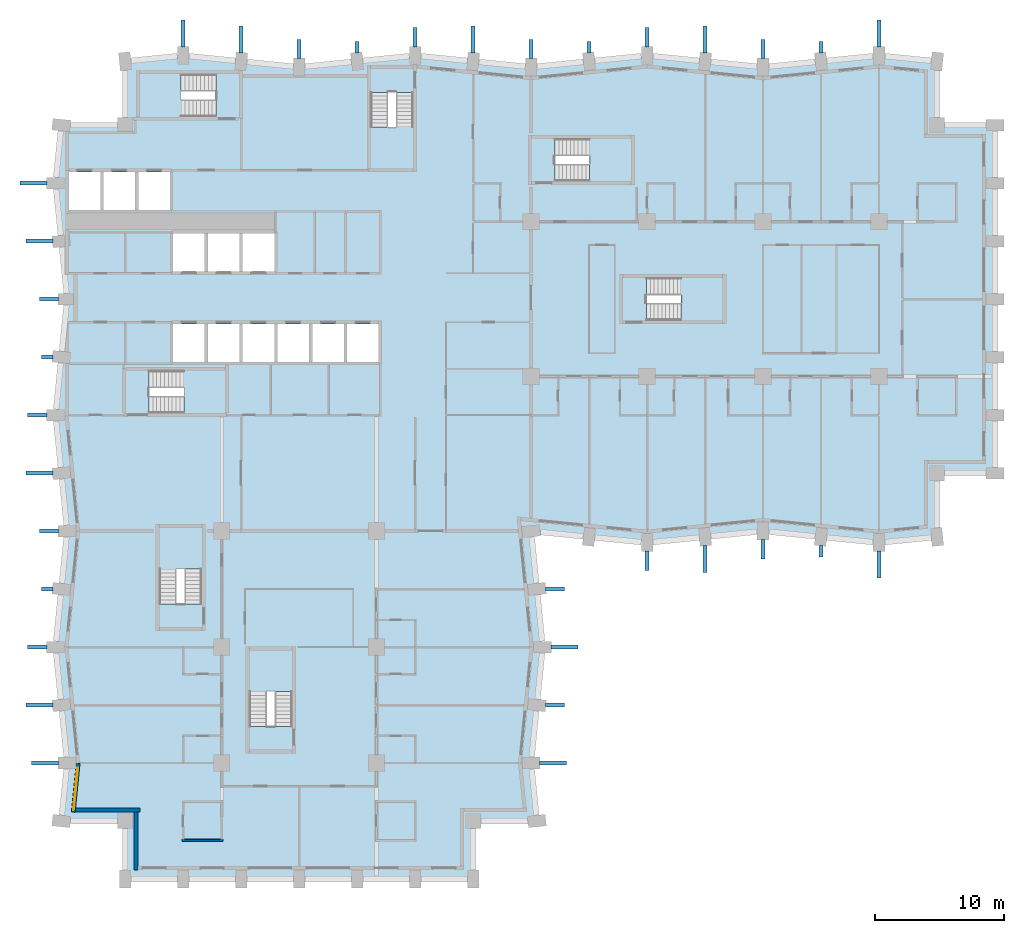
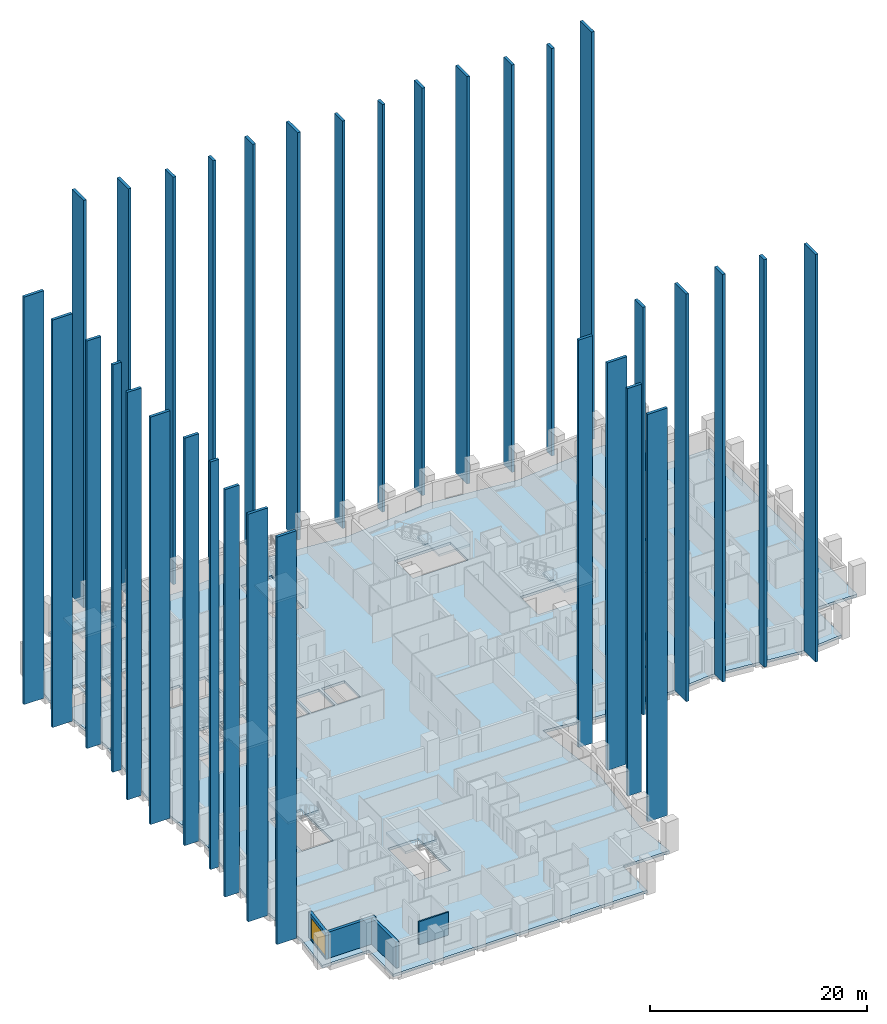
# One storey, part 2 of 13: 33 plates, 8 slabs, 4 walls, 1 window, 1 opening, 7 elements without a shape of their own.
"""IFC4 building model written with IfcOpenShell, lengths in metres."""

from ifc_helpers import new_model, si_unit, direction, frame, frame_2d, origin, place, context, subcontext, project, spatial, polyline, rectangle, outline, extrude, material, layer, layer_set, type_object, element, fill, aggregate, save


model = new_model("IFC4")

# Units and contexts
model_context = context("Model", 3, precision=1e-05, world=origin(), true_north=direction((0.0, 1.0)))
body_context = subcontext(model_context, "Body", "Model", "MODEL_VIEW")
ifc_project = project(units=[si_unit("LENGTHUNIT", "METRE"), si_unit("AREAUNIT", "SQUARE_METRE"), si_unit("VOLUMEUNIT", "CUBIC_METRE"), si_unit("PLANEANGLEUNIT", "RADIAN"), si_unit("MASSUNIT", "GRAM", prefix="KILO")], contexts=[model_context])

# Site, building, storey
site_placement = place(None, origin())
site = spatial("IfcSite", under=ifc_project, at=site_placement, CompositionType="ELEMENT")
building_placement = place(site_placement, origin())
building = spatial("IfcBuilding", under=site, at=building_placement, Name="Brondeck Convention Tower", CompositionType="ELEMENT")
storey_placement = place(building_placement, frame((0.0, 0.0, 37.5)))
storey = spatial("IfcBuildingStorey", under=building, at=storey_placement, Name="L06", CompositionType="ELEMENT", Elevation=37.5)

# Slab
ifc_material_1 = material(Name="Concrete C35/45", Category="concrete")
ifc_layer_1 = layer(ifc_material_1, 0.300048828125)
ifc_layer_set_1 = layer_set([ifc_layer_1], Name="Composite floor slab 300")
slab_type_1 = type_object("IfcSlabType", Name="Composite floor slab 300", PredefinedType="FLOOR", material=ifc_layer_set_1)
slab_1_placement = place(storey_placement, frame((0.0, 0.0, -0.300048828125)))
element("IfcSlab", 1, at=slab_1_placement, inside=storey, type_object=slab_type_1, Name="STR-SL-L06", PredefinedType="FLOOR", context=body_context, shape_type="SweptSolid", body=[
    extrude(outline(polyline([(4.5, 4.5), (-0.449951171875, 4.5), (0.0, 9.0), (-0.89990234375, 18.0), (0.0, 27.0), (-0.89990234375, 36.0), (0.0, 45.0), (-0.89990234375, 54.0), (-0.449951171875, 58.5), (4.5, 58.5), (4.5, 63.449951171875), (9.0, 63.89990234375), (18.0, 63.0), (27.0, 63.89990234375), (36.0, 63.0), (45.0, 63.89990234375), (54.0, 63.0), (63.0, 63.89990234375), (67.5, 63.449951171875), (67.5, 58.5), (72.0, 58.5), (72.0, 31.5), (67.5, 31.5), (67.5, 26.550048828125), (63.0, 26.10009765625), (54.0, 27.0), (45.0, 26.10009765625), (36.0, 27.0), (36.89990234375, 18.0), (36.0, 9.0), (36.449951171875, 4.5), (31.5, 4.5), (31.5, 0.0), (4.5, 0.0), (4.5, 4.5)]), holes=[polyline([(10.447998046875, 27.248046875), (7.152099609375, 27.248046875), (7.152099609375, 21.35205078125), (10.447998046875, 21.35205078125), (10.447998046875, 27.248046875)]), polyline([(12.248046875, 36.152099609375), (12.248046875, 39.447998046875), (6.35205078125, 39.447998046875), (6.35205078125, 36.152099609375), (12.248046875, 36.152099609375)]), polyline([(10.675048828125, 40.125), (10.675048828125, 43.074951171875), (8.22509765625, 43.074951171875), (8.22509765625, 40.125), (10.675048828125, 40.125)]), polyline([(13.375, 40.125), (13.375, 43.074951171875), (10.925048828125, 43.074951171875), (10.925048828125, 40.125), (13.375, 40.125)]), polyline([(10.675048828125, 47.125), (10.675048828125, 50.074951171875), (8.22509765625, 50.074951171875), (8.22509765625, 47.125), (10.675048828125, 47.125)]), polyline([(13.375, 47.125), (13.375, 50.074951171875), (10.925048828125, 50.074951171875), (10.925048828125, 47.125), (13.375, 47.125)]), polyline([(2.574951171875, 51.925048828125), (2.574951171875, 54.875), (0.125, 54.875), (0.125, 51.925048828125), (2.574951171875, 51.925048828125)]), polyline([(2.824951171875, 51.925048828125), (5.27490234375, 51.925048828125), (5.27490234375, 54.875), (2.824951171875, 54.875), (2.824951171875, 51.925048828125)]), polyline([(5.52490234375, 51.925048828125), (7.97509765625, 51.925048828125), (7.97509765625, 54.875), (5.52490234375, 54.875), (5.52490234375, 51.925048828125)]), polyline([(5.652099609375, 62.447998046875), (5.652099609375, 59.152099609375), (11.548095703125, 59.152099609375), (11.548095703125, 62.447998046875), (5.652099609375, 62.447998046875)]), polyline([(17.447998046875, 17.748046875), (14.152099609375, 17.748046875), (14.152099609375, 11.85205078125), (17.447998046875, 11.85205078125), (17.447998046875, 17.748046875)]), polyline([(16.074951171875, 40.125), (16.074951171875, 43.074951171875), (13.625, 43.074951171875), (13.625, 40.125), (16.074951171875, 40.125)]), polyline([(16.324951171875, 40.125), (18.77490234375, 40.125), (18.77490234375, 43.074951171875), (16.324951171875, 43.074951171875), (16.324951171875, 40.125)]), polyline([(19.02490234375, 40.125), (21.47509765625, 40.125), (21.47509765625, 43.074951171875), (19.02490234375, 43.074951171875), (19.02490234375, 40.125)]), polyline([(24.175048828125, 40.125), (24.175048828125, 43.074951171875), (21.72509765625, 43.074951171875), (21.72509765625, 40.125), (24.175048828125, 40.125)]), polyline([(50.847900390625, 43.35205078125), (50.847900390625, 46.64794921875), (44.951904296875, 46.64794921875), (44.951904296875, 43.35205078125), (50.847900390625, 43.35205078125)]), polyline([(16.074951171875, 47.125), (16.074951171875, 50.074951171875), (13.625, 50.074951171875), (13.625, 47.125), (16.074951171875, 47.125)]), polyline([(37.85205078125, 54.152099609375), (43.748046875, 54.152099609375), (43.748046875, 57.447998046875), (37.85205078125, 57.447998046875), (37.85205078125, 54.152099609375)]), polyline([(23.552001953125, 61.048095703125), (23.552001953125, 55.152099609375), (26.847900390625, 55.152099609375), (26.847900390625, 61.048095703125), (23.552001953125, 61.048095703125)])]), origin(), (0.0, 0.0, 1.0), 0.300048828125),
])

# Stair, slab
ifc_material_2 = material(Name="Precast concrete C50/60", Category="concrete")
stair_type = type_object("IfcStairType", Name="Core stair 20 risers 180.00 mm riser 300 mm going 1350 wide", PredefinedType="HALF_TURN_STAIR", material=ifc_material_2)
stair_1_placement = place(storey_placement, origin())
stair_1 = element("IfcStair", 2, at=stair_1_placement, inside=storey, type_object=stair_type, Name="ST-1 L06 stair", PredefinedType="HALF_TURN_STAIR")
ifc_layer_2 = layer(ifc_material_2, 0.25)
ifc_layer_set_2 = layer_set([ifc_layer_2], Name="Core stair landing 250 Precast concrete C50/60")
slab_type_2 = type_object("IfcSlabType", Name="Core stair landing 250 Precast concrete C50/60", PredefinedType="LANDING", material=ifc_layer_set_2)
slab_2_placement = place(storey_placement, frame((0.0, 0.0, 1.550048828125)))
slab_2 = element("IfcSlab", 3, at=slab_2_placement, type_object=slab_type_2, Name="ST-1 landing 1", PredefinedType="LANDING", context=body_context, shape_type="SweptSolid", body=[
    extrude(outline(polyline([(9.048095703125, 37.5), (9.050048828125, 37.5), (9.050048828125, 38.10009765625), (8.75, 38.10009765625), (8.75, 39.570068359375), (12.3701171875, 39.570068359375), (12.3701171875, 36.030029296875), (9.048095703125, 36.030029296875), (9.048095703125, 37.5)])), origin(), (0.0, 0.0, 1.0), 0.25),
])
aggregate(stair_1, [slab_2])

stair_2_placement = place(storey_placement, origin())
stair_2 = element("IfcStair", 4, at=stair_2_placement, inside=storey, type_object=stair_type, Name="ST-2 L06 stair", PredefinedType="HALF_TURN_STAIR")
slab_3_placement = place(storey_placement, frame((0.0, 0.0, 1.550048828125)))
slab_3 = element("IfcSlab", 5, at=slab_3_placement, type_object=slab_type_2, Name="ST-2 landing 1", PredefinedType="LANDING", context=body_context, shape_type="SweptSolid", body=[
    extrude(outline(polyline([(23.429931640625, 58.35205078125), (24.89990234375, 58.35205078125), (24.89990234375, 58.35009765625), (25.5, 58.35009765625), (25.5, 58.64990234375), (26.969970703125, 58.64990234375), (26.969970703125, 55.030029296875), (23.429931640625, 55.030029296875), (23.429931640625, 58.35205078125)])), origin(), (0.0, 0.0, 1.0), 0.25),
])
aggregate(stair_2, [slab_3])

stair_3_placement = place(storey_placement, origin())
stair_3 = element("IfcStair", 6, at=stair_3_placement, inside=storey, type_object=stair_type, Name="ST-3 L06 stair", PredefinedType="HALF_TURN_STAIR")
slab_4_placement = place(storey_placement, frame((0.0, 0.0, 1.550048828125)))
slab_4 = element("IfcSlab", 7, at=slab_4_placement, type_object=slab_type_2, Name="ST-3 landing 1", PredefinedType="LANDING", context=body_context, shape_type="SweptSolid", body=[
    extrude(outline(polyline([(9.14990234375, 60.5), (9.14990234375, 59.030029296875), (5.530029296875, 59.030029296875), (5.530029296875, 62.570068359375), (8.85205078125, 62.570068359375), (8.85205078125, 61.10009765625), (8.85009765625, 61.10009765625), (8.85009765625, 60.5), (9.14990234375, 60.5)])), origin(), (0.0, 0.0, 1.0), 0.25),
])
aggregate(stair_3, [slab_4])

stair_4_placement = place(storey_placement, origin())
stair_4 = element("IfcStair", 8, at=stair_4_placement, inside=storey, type_object=stair_type, Name="ST-AE L06 stair", PredefinedType="HALF_TURN_STAIR")
slab_5_placement = place(storey_placement, frame((0.0, 0.0, 1.550048828125)))
slab_5 = element("IfcSlab", 9, at=slab_5_placement, type_object=slab_type_2, Name="ST-AE landing 1", PredefinedType="LANDING", context=body_context, shape_type="SweptSolid", body=[
    extrude(outline(polyline([(40.548095703125, 55.5), (40.550048828125, 55.5), (40.550048828125, 56.10009765625), (40.25, 56.10009765625), (40.25, 57.570068359375), (43.8701171875, 57.570068359375), (43.8701171875, 54.030029296875), (40.548095703125, 54.030029296875), (40.548095703125, 55.5)])), origin(), (0.0, 0.0, 1.0), 0.25),
])
aggregate(stair_4, [slab_5])

stair_5_placement = place(storey_placement, origin())
stair_5 = element("IfcStair", 10, at=stair_5_placement, inside=storey, type_object=stair_type, Name="ST-BE L06 stair", PredefinedType="HALF_TURN_STAIR")
slab_6_placement = place(storey_placement, frame((0.0, 0.0, 1.550048828125)))
slab_6 = element("IfcSlab", 11, at=slab_6_placement, type_object=slab_type_2, Name="ST-BE landing 1", PredefinedType="LANDING", context=body_context, shape_type="SweptSolid", body=[
    extrude(outline(polyline([(7.030029296875, 23.75), (7.030029296875, 27.3701171875), (10.570068359375, 27.3701171875), (10.570068359375, 24.048095703125), (9.10009765625, 24.048095703125), (9.10009765625, 24.050048828125), (8.5, 24.050048828125), (8.5, 23.75), (7.030029296875, 23.75)])), origin(), (0.0, 0.0, 1.0), 0.25),
])
aggregate(stair_5, [slab_6])

stair_6_placement = place(storey_placement, origin())
stair_6 = element("IfcStair", 12, at=stair_6_placement, inside=storey, type_object=stair_type, Name="ST-AF L06 stair", PredefinedType="HALF_TURN_STAIR")
slab_7_placement = place(storey_placement, frame((0.0, 0.0, 1.550048828125)))
slab_7 = element("IfcSlab", 13, at=slab_7_placement, type_object=slab_type_2, Name="ST-AF landing 1", PredefinedType="LANDING", context=body_context, shape_type="SweptSolid", body=[
    extrude(outline(polyline([(47.64794921875, 44.699951171875), (47.64990234375, 44.699951171875), (47.64990234375, 45.300048828125), (47.35009765625, 45.300048828125), (47.35009765625, 46.77001953125), (50.969970703125, 46.77001953125), (50.969970703125, 43.22998046875), (47.64794921875, 43.22998046875), (47.64794921875, 44.699951171875)])), origin(), (0.0, 0.0, 1.0), 0.25),
])
aggregate(stair_6, [slab_7])

stair_7_placement = place(storey_placement, origin())
stair_7 = element("IfcStair", 14, at=stair_7_placement, inside=storey, type_object=stair_type, Name="ST-BF L06 stair", PredefinedType="HALF_TURN_STAIR")
slab_8_placement = place(storey_placement, frame((0.0, 0.0, 1.550048828125)))
slab_8 = element("IfcSlab", 15, at=slab_8_placement, type_object=slab_type_2, Name="ST-BF landing 1", PredefinedType="LANDING", context=body_context, shape_type="SweptSolid", body=[
    extrude(outline(polyline([(14.030029296875, 14.25), (14.030029296875, 17.8701171875), (17.570068359375, 17.8701171875), (17.570068359375, 14.548095703125), (16.10009765625, 14.548095703125), (16.10009765625, 14.550048828125), (15.5, 14.550048828125), (15.5, 14.25), (14.030029296875, 14.25)])), origin(), (0.0, 0.0, 1.0), 0.25),
])
aggregate(stair_7, [slab_8])

# Plates
ifc_layer_3 = layer(ifc_material_2, 0.300048828125)
ifc_layer_set_3 = layer_set([ifc_layer_3], Name="Facade fin FN1 300 x 900 Precast concrete C50/60")
plate_type_1 = type_object("IfcPlateType", Name="Facade fin FN1 300 x 900 Precast concrete C50/60", PredefinedType="USERDEFINED", material=ifc_layer_set_3)
plate_1_placement = place(storey_placement, frame((0.0, 0.0, 0.5)))
element("IfcPlate", 16, at=plate_1_placement, inside=storey, type_object=plate_type_1, Name="ENV-FN-A-S-Z1-05", ObjectType="FIN", PredefinedType="USERDEFINED", context=body_context, shape_type="SweptSolid", body=[
    extrude(outline(polyline([(58.64990234375, 24.989990234375), (58.64990234375, 25.889892578125), (58.35009765625, 25.889892578125), (58.35009765625, 24.989990234375), (58.64990234375, 24.989990234375)])), origin(), (0.0, 0.0, 1.0), 45.800048828125),
])
plate_2_placement = place(storey_placement, frame((0.0, 0.0, 0.5)))
element("IfcPlate", 17, at=plate_2_placement, inside=storey, type_object=plate_type_1, Name="ENV-FN-A-N-Z1-05", ObjectType="FIN", PredefinedType="USERDEFINED", context=body_context, shape_type="SweptSolid", body=[
    extrude(outline(polyline([(22.35009765625, 65.010009765625), (22.35009765625, 64.110107421875), (22.64990234375, 64.110107421875), (22.64990234375, 65.010009765625), (22.35009765625, 65.010009765625)])), origin(), (0.0, 0.0, 1.0), 45.800048828125),
])
plate_3_placement = place(storey_placement, frame((0.0, 0.0, 0.5)))
element("IfcPlate", 18, at=plate_3_placement, inside=storey, type_object=plate_type_1, Name="ENV-FN-A-N-Z1-09", ObjectType="FIN", PredefinedType="USERDEFINED", context=body_context, shape_type="SweptSolid", body=[
    extrude(outline(polyline([(40.35009765625, 65.010009765625), (40.35009765625, 64.110107421875), (40.64990234375, 64.110107421875), (40.64990234375, 65.010009765625), (40.35009765625, 65.010009765625)])), origin(), (0.0, 0.0, 1.0), 45.800048828125),
])
plate_4_placement = place(storey_placement, frame((0.0, 0.0, 0.5)))
element("IfcPlate", 19, at=plate_4_placement, inside=storey, type_object=plate_type_1, Name="ENV-FN-A-N-Z1-13", ObjectType="FIN", PredefinedType="USERDEFINED", context=body_context, shape_type="SweptSolid", body=[
    extrude(outline(polyline([(58.35009765625, 65.010009765625), (58.35009765625, 64.110107421875), (58.64990234375, 64.110107421875), (58.64990234375, 65.010009765625), (58.35009765625, 65.010009765625)])), origin(), (0.0, 0.0, 1.0), 45.800048828125),
])
plate_5_placement = place(storey_placement, frame((0.0, 0.0, 0.5)))
element("IfcPlate", 20, at=plate_5_placement, inside=storey, type_object=plate_type_1, Name="ENV-FN-B-W-Z1-05", ObjectType="FIN", PredefinedType="USERDEFINED", context=body_context, shape_type="SweptSolid", body=[
    extrude(outline(polyline([(-2.010009765625, 40.35009765625), (-1.110107421875, 40.35009765625), (-1.110107421875, 40.64990234375), (-2.010009765625, 40.64990234375), (-2.010009765625, 40.35009765625)])), origin(), (0.0, 0.0, 1.0), 45.800048828125),
])
plate_6_placement = place(storey_placement, frame((0.0, 0.0, 0.5)))
element("IfcPlate", 21, at=plate_6_placement, inside=storey, type_object=plate_type_1, Name="ENV-FN-B-W-Z1-09", ObjectType="FIN", PredefinedType="USERDEFINED", context=body_context, shape_type="SweptSolid", body=[
    extrude(outline(polyline([(-2.010009765625, 22.35009765625), (-1.110107421875, 22.35009765625), (-1.110107421875, 22.64990234375), (-2.010009765625, 22.64990234375), (-2.010009765625, 22.35009765625)])), origin(), (0.0, 0.0, 1.0), 45.800048828125),
])
ifc_layer_4 = layer(ifc_material_2, 0.300048828125)
ifc_layer_set_4 = layer_set([ifc_layer_4], Name="Facade fin FN2 300 x 1500 Precast concrete C50/60")
plate_type_2 = type_object("IfcPlateType", Name="Facade fin FN2 300 x 1500 Precast concrete C50/60", PredefinedType="USERDEFINED", material=ifc_layer_set_4)
plate_7_placement = place(storey_placement, frame((0.0, 0.0, 0.5)))
element("IfcPlate", 22, at=plate_7_placement, inside=storey, type_object=plate_type_2, Name="ENV-FN-B-E-Z1-01", ObjectType="FIN", PredefinedType="USERDEFINED", context=body_context, shape_type="SweptSolid", body=[
    extrude(outline(polyline([(38.610107421875, 22.64990234375), (37.110107421875, 22.64990234375), (37.110107421875, 22.35009765625), (38.610107421875, 22.35009765625), (38.610107421875, 22.64990234375)])), origin(), (0.0, 0.0, 1.0), 45.800048828125),
])
plate_8_placement = place(storey_placement, frame((0.0, 0.0, 0.5)))
element("IfcPlate", 23, at=plate_8_placement, inside=storey, type_object=plate_type_2, Name="ENV-FN-B-E-Z1-03", ObjectType="FIN", PredefinedType="USERDEFINED", context=body_context, shape_type="SweptSolid", body=[
    extrude(outline(polyline([(38.610107421875, 13.64990234375), (37.110107421875, 13.64990234375), (37.110107421875, 13.35009765625), (38.610107421875, 13.35009765625), (38.610107421875, 13.64990234375)])), origin(), (0.0, 0.0, 1.0), 45.800048828125),
])
plate_9_placement = place(storey_placement, frame((0.0, 0.0, 0.5)))
element("IfcPlate", 24, at=plate_9_placement, inside=storey, type_object=plate_type_2, Name="ENV-FN-A-S-Z1-02", ObjectType="FIN", PredefinedType="USERDEFINED", context=body_context, shape_type="SweptSolid", body=[
    extrude(outline(polyline([(45.14990234375, 23.93994140625), (45.14990234375, 25.43994140625), (44.85009765625, 25.43994140625), (44.85009765625, 23.93994140625), (45.14990234375, 23.93994140625)])), origin(), (0.0, 0.0, 1.0), 45.800048828125),
])
plate_10_placement = place(storey_placement, frame((0.0, 0.0, 0.5)))
element("IfcPlate", 25, at=plate_10_placement, inside=storey, type_object=plate_type_2, Name="ENV-FN-A-S-Z1-04", ObjectType="FIN", PredefinedType="USERDEFINED", context=body_context, shape_type="SweptSolid", body=[
    extrude(outline(polyline([(54.14990234375, 24.840087890625), (54.14990234375, 26.340087890625), (53.85009765625, 26.340087890625), (53.85009765625, 24.840087890625), (54.14990234375, 24.840087890625)])), origin(), (0.0, 0.0, 1.0), 45.800048828125),
])
plate_11_placement = place(storey_placement, frame((0.0, 0.0, 0.5)))
element("IfcPlate", 26, at=plate_11_placement, inside=storey, type_object=plate_type_2, Name="ENV-FN-A-N-Z1-04", ObjectType="FIN", PredefinedType="USERDEFINED", context=body_context, shape_type="SweptSolid", body=[
    extrude(outline(polyline([(17.85009765625, 65.159912109375), (17.85009765625, 63.659912109375), (18.14990234375, 63.659912109375), (18.14990234375, 65.159912109375), (17.85009765625, 65.159912109375)])), origin(), (0.0, 0.0, 1.0), 45.800048828125),
])
plate_12_placement = place(storey_placement, frame((0.0, 0.0, 0.5)))
element("IfcPlate", 27, at=plate_12_placement, inside=storey, type_object=plate_type_2, Name="ENV-FN-A-N-Z1-06", ObjectType="FIN", PredefinedType="USERDEFINED", context=body_context, shape_type="SweptSolid", body=[
    extrude(outline(polyline([(26.85009765625, 66.06005859375), (26.85009765625, 64.56005859375), (27.14990234375, 64.56005859375), (27.14990234375, 66.06005859375), (26.85009765625, 66.06005859375)])), origin(), (0.0, 0.0, 1.0), 45.800048828125),
])
plate_13_placement = place(storey_placement, frame((0.0, 0.0, 0.5)))
element("IfcPlate", 28, at=plate_13_placement, inside=storey, type_object=plate_type_2, Name="ENV-FN-A-N-Z1-08", ObjectType="FIN", PredefinedType="USERDEFINED", context=body_context, shape_type="SweptSolid", body=[
    extrude(outline(polyline([(35.85009765625, 65.159912109375), (35.85009765625, 63.659912109375), (36.14990234375, 63.659912109375), (36.14990234375, 65.159912109375), (35.85009765625, 65.159912109375)])), origin(), (0.0, 0.0, 1.0), 45.800048828125),
])
plate_14_placement = place(storey_placement, frame((0.0, 0.0, 0.5)))
element("IfcPlate", 29, at=plate_14_placement, inside=storey, type_object=plate_type_2, Name="ENV-FN-A-N-Z1-10", ObjectType="FIN", PredefinedType="USERDEFINED", context=body_context, shape_type="SweptSolid", body=[
    extrude(outline(polyline([(44.85009765625, 66.06005859375), (44.85009765625, 64.56005859375), (45.14990234375, 64.56005859375), (45.14990234375, 66.06005859375), (44.85009765625, 66.06005859375)])), origin(), (0.0, 0.0, 1.0), 45.800048828125),
])
plate_15_placement = place(storey_placement, frame((0.0, 0.0, 0.5)))
element("IfcPlate", 30, at=plate_15_placement, inside=storey, type_object=plate_type_2, Name="ENV-FN-A-N-Z1-12", ObjectType="FIN", PredefinedType="USERDEFINED", context=body_context, shape_type="SweptSolid", body=[
    extrude(outline(polyline([(53.85009765625, 65.159912109375), (53.85009765625, 63.659912109375), (54.14990234375, 63.659912109375), (54.14990234375, 65.159912109375), (53.85009765625, 65.159912109375)])), origin(), (0.0, 0.0, 1.0), 45.800048828125),
])
plate_16_placement = place(storey_placement, frame((0.0, 0.0, 0.5)))
element("IfcPlate", 31, at=plate_16_placement, inside=storey, type_object=plate_type_2, Name="ENV-FN-B-W-Z1-04", ObjectType="FIN", PredefinedType="USERDEFINED", context=body_context, shape_type="SweptSolid", body=[
    extrude(outline(polyline([(-2.159912109375, 44.85009765625), (-0.659912109375, 44.85009765625), (-0.659912109375, 45.14990234375), (-2.159912109375, 45.14990234375), (-2.159912109375, 44.85009765625)])), origin(), (0.0, 0.0, 1.0), 45.800048828125),
])
plate_17_placement = place(storey_placement, frame((0.0, 0.0, 0.5)))
element("IfcPlate", 32, at=plate_17_placement, inside=storey, type_object=plate_type_2, Name="ENV-FN-B-W-Z1-06", ObjectType="FIN", PredefinedType="USERDEFINED", context=body_context, shape_type="SweptSolid", body=[
    extrude(outline(polyline([(-3.06005859375, 35.85009765625), (-1.56005859375, 35.85009765625), (-1.56005859375, 36.14990234375), (-3.06005859375, 36.14990234375), (-3.06005859375, 35.85009765625)])), origin(), (0.0, 0.0, 1.0), 45.800048828125),
])
plate_18_placement = place(storey_placement, frame((0.0, 0.0, 0.5)))
element("IfcPlate", 33, at=plate_18_placement, inside=storey, type_object=plate_type_2, Name="ENV-FN-B-W-Z1-08", ObjectType="FIN", PredefinedType="USERDEFINED", context=body_context, shape_type="SweptSolid", body=[
    extrude(outline(polyline([(-2.159912109375, 26.85009765625), (-0.659912109375, 26.85009765625), (-0.659912109375, 27.14990234375), (-2.159912109375, 27.14990234375), (-2.159912109375, 26.85009765625)])), origin(), (0.0, 0.0, 1.0), 45.800048828125),
])
plate_19_placement = place(storey_placement, frame((0.0, 0.0, 0.5)))
element("IfcPlate", 34, at=plate_19_placement, inside=storey, type_object=plate_type_2, Name="ENV-FN-B-W-Z1-10", ObjectType="FIN", PredefinedType="USERDEFINED", context=body_context, shape_type="SweptSolid", body=[
    extrude(outline(polyline([(-3.06005859375, 17.85009765625), (-1.56005859375, 17.85009765625), (-1.56005859375, 18.14990234375), (-3.06005859375, 18.14990234375), (-3.06005859375, 17.85009765625)])), origin(), (0.0, 0.0, 1.0), 45.800048828125),
])
ifc_layer_5 = layer(ifc_material_2, 0.300048828125)
ifc_layer_set_5 = layer_set([ifc_layer_5], Name="Facade fin FN3 300 x 2100 Precast concrete C50/60")
plate_type_3 = type_object("IfcPlateType", Name="Facade fin FN3 300 x 2100 Precast concrete C50/60", PredefinedType="USERDEFINED", material=ifc_layer_set_5)
plate_20_placement = place(storey_placement, frame((0.0, 0.0, 0.5)))
element("IfcPlate", 35, at=plate_20_placement, inside=storey, type_object=plate_type_3, Name="ENV-FN-B-E-Z1-02", ObjectType="FIN", PredefinedType="USERDEFINED", context=body_context, shape_type="SweptSolid", body=[
    extrude(outline(polyline([(39.659912109375, 18.14990234375), (37.56005859375, 18.14990234375), (37.56005859375, 17.85009765625), (39.659912109375, 17.85009765625), (39.659912109375, 18.14990234375)])), origin(), (0.0, 0.0, 1.0), 45.800048828125),
])
plate_21_placement = place(storey_placement, frame((0.0, 0.0, 0.5)))
element("IfcPlate", 36, at=plate_21_placement, inside=storey, type_object=plate_type_3, Name="ENV-FN-B-E-Z1-04", ObjectType="FIN", PredefinedType="USERDEFINED", context=body_context, shape_type="SweptSolid", body=[
    extrude(outline(polyline([(38.760009765625, 9.14990234375), (36.659912109375, 9.14990234375), (36.659912109375, 8.85009765625), (38.760009765625, 8.85009765625), (38.760009765625, 9.14990234375)])), origin(), (0.0, 0.0, 1.0), 45.800048828125),
])
plate_22_placement = place(storey_placement, frame((0.0, 0.0, 0.5)))
element("IfcPlate", 37, at=plate_22_placement, inside=storey, type_object=plate_type_3, Name="ENV-FN-A-S-Z1-03", ObjectType="FIN", PredefinedType="USERDEFINED", context=body_context, shape_type="SweptSolid", body=[
    extrude(outline(polyline([(49.64990234375, 23.7900390625), (49.64990234375, 25.889892578125), (49.35009765625, 25.889892578125), (49.35009765625, 23.7900390625), (49.64990234375, 23.7900390625)])), origin(), (0.0, 0.0, 1.0), 45.800048828125),
])
plate_23_placement = place(storey_placement, frame((0.0, 0.0, 0.5)))
element("IfcPlate", 38, at=plate_23_placement, inside=storey, type_object=plate_type_3, Name="ENV-FN-A-S-Z1-06", ObjectType="FIN", PredefinedType="USERDEFINED", context=body_context, shape_type="SweptSolid", body=[
    extrude(outline(polyline([(63.14990234375, 23.340087890625), (63.14990234375, 25.43994140625), (62.85009765625, 25.43994140625), (62.85009765625, 23.340087890625), (63.14990234375, 23.340087890625)])), origin(), (0.0, 0.0, 1.0), 45.800048828125),
])
plate_24_placement = place(storey_placement, frame((0.0, 0.0, 0.5)))
element("IfcPlate", 39, at=plate_24_placement, inside=storey, type_object=plate_type_3, Name="ENV-FN-A-N-Z1-02", ObjectType="FIN", PredefinedType="USERDEFINED", context=body_context, shape_type="SweptSolid", body=[
    extrude(outline(polyline([(8.85009765625, 66.659912109375), (8.85009765625, 64.56005859375), (9.14990234375, 64.56005859375), (9.14990234375, 66.659912109375), (8.85009765625, 66.659912109375)])), origin(), (0.0, 0.0, 1.0), 45.800048828125),
])
plate_25_placement = place(storey_placement, frame((0.0, 0.0, 0.5)))
element("IfcPlate", 40, at=plate_25_placement, inside=storey, type_object=plate_type_3, Name="ENV-FN-A-N-Z1-03", ObjectType="FIN", PredefinedType="USERDEFINED", context=body_context, shape_type="SweptSolid", body=[
    extrude(outline(polyline([(13.35009765625, 66.2099609375), (13.35009765625, 64.110107421875), (13.64990234375, 64.110107421875), (13.64990234375, 66.2099609375), (13.35009765625, 66.2099609375)])), origin(), (0.0, 0.0, 1.0), 45.800048828125),
])
plate_26_placement = place(storey_placement, frame((0.0, 0.0, 0.5)))
element("IfcPlate", 41, at=plate_26_placement, inside=storey, type_object=plate_type_3, Name="ENV-FN-A-N-Z1-07", ObjectType="FIN", PredefinedType="USERDEFINED", context=body_context, shape_type="SweptSolid", body=[
    extrude(outline(polyline([(31.35009765625, 66.2099609375), (31.35009765625, 64.110107421875), (31.64990234375, 64.110107421875), (31.64990234375, 66.2099609375), (31.35009765625, 66.2099609375)])), origin(), (0.0, 0.0, 1.0), 45.800048828125),
])
plate_27_placement = place(storey_placement, frame((0.0, 0.0, 0.5)))
element("IfcPlate", 42, at=plate_27_placement, inside=storey, type_object=plate_type_3, Name="ENV-FN-A-N-Z1-11", ObjectType="FIN", PredefinedType="USERDEFINED", context=body_context, shape_type="SweptSolid", body=[
    extrude(outline(polyline([(49.35009765625, 66.2099609375), (49.35009765625, 64.110107421875), (49.64990234375, 64.110107421875), (49.64990234375, 66.2099609375), (49.35009765625, 66.2099609375)])), origin(), (0.0, 0.0, 1.0), 45.800048828125),
])
plate_28_placement = place(storey_placement, frame((0.0, 0.0, 0.5)))
element("IfcPlate", 43, at=plate_28_placement, inside=storey, type_object=plate_type_3, Name="ENV-FN-A-N-Z1-14", ObjectType="FIN", PredefinedType="USERDEFINED", context=body_context, shape_type="SweptSolid", body=[
    extrude(outline(polyline([(62.85009765625, 66.659912109375), (62.85009765625, 64.56005859375), (63.14990234375, 64.56005859375), (63.14990234375, 66.659912109375), (62.85009765625, 66.659912109375)])), origin(), (0.0, 0.0, 1.0), 45.800048828125),
])
plate_29_placement = place(storey_placement, frame((0.0, 0.0, 0.5)))
element("IfcPlate", 44, at=plate_29_placement, inside=storey, type_object=plate_type_3, Name="ENV-FN-B-W-Z1-02", ObjectType="FIN", PredefinedType="USERDEFINED", context=body_context, shape_type="SweptSolid", body=[
    extrude(outline(polyline([(-3.659912109375, 53.85009765625), (-1.56005859375, 53.85009765625), (-1.56005859375, 54.14990234375), (-3.659912109375, 54.14990234375), (-3.659912109375, 53.85009765625)])), origin(), (0.0, 0.0, 1.0), 45.800048828125),
])
plate_30_placement = place(storey_placement, frame((0.0, 0.0, 0.5)))
element("IfcPlate", 45, at=plate_30_placement, inside=storey, type_object=plate_type_3, Name="ENV-FN-B-W-Z1-03", ObjectType="FIN", PredefinedType="USERDEFINED", context=body_context, shape_type="SweptSolid", body=[
    extrude(outline(polyline([(-3.2099609375, 49.35009765625), (-1.110107421875, 49.35009765625), (-1.110107421875, 49.64990234375), (-3.2099609375, 49.64990234375), (-3.2099609375, 49.35009765625)])), origin(), (0.0, 0.0, 1.0), 45.800048828125),
])
plate_31_placement = place(storey_placement, frame((0.0, 0.0, 0.5)))
element("IfcPlate", 46, at=plate_31_placement, inside=storey, type_object=plate_type_3, Name="ENV-FN-B-W-Z1-07", ObjectType="FIN", PredefinedType="USERDEFINED", context=body_context, shape_type="SweptSolid", body=[
    extrude(outline(polyline([(-3.2099609375, 31.35009765625), (-1.110107421875, 31.35009765625), (-1.110107421875, 31.64990234375), (-3.2099609375, 31.64990234375), (-3.2099609375, 31.35009765625)])), origin(), (0.0, 0.0, 1.0), 45.800048828125),
])
plate_32_placement = place(storey_placement, frame((0.0, 0.0, 0.5)))
element("IfcPlate", 47, at=plate_32_placement, inside=storey, type_object=plate_type_3, Name="ENV-FN-B-W-Z1-11", ObjectType="FIN", PredefinedType="USERDEFINED", context=body_context, shape_type="SweptSolid", body=[
    extrude(outline(polyline([(-3.2099609375, 13.35009765625), (-1.110107421875, 13.35009765625), (-1.110107421875, 13.64990234375), (-3.2099609375, 13.64990234375), (-3.2099609375, 13.35009765625)])), origin(), (0.0, 0.0, 1.0), 45.800048828125),
])
plate_33_placement = place(storey_placement, frame((0.0, 0.0, 0.5)))
element("IfcPlate", 48, at=plate_33_placement, inside=storey, type_object=plate_type_3, Name="ENV-FN-B-W-Z1-12", ObjectType="FIN", PredefinedType="USERDEFINED", context=body_context, shape_type="SweptSolid", body=[
    extrude(outline(polyline([(-2.760009765625, 8.85009765625), (-0.659912109375, 8.85009765625), (-0.659912109375, 9.14990234375), (-2.760009765625, 9.14990234375), (-2.760009765625, 8.85009765625)])), origin(), (0.0, 0.0, 1.0), 45.800048828125),
])

# Wall, opening, window
ifc_material_3 = material(Name="Precast concrete C50/60 bronze finish", Category="concrete")
ifc_layer_6 = layer(ifc_material_3, 0.070068359375, Name="Bronze precast facing")
ifc_material_4 = material(Name="Mineral wool")
ifc_layer_7 = layer(ifc_material_4, 0.159912109375, Name="Insulation")
ifc_layer_8 = layer(ifc_material_1, 0.070068359375, Name="Backing")
ifc_layer_set_6 = layer_set([ifc_layer_6, ifc_layer_7, ifc_layer_8], Name="External infill wall, precast concrete C50/60 bronze facing")
wall_type_1 = type_object("IfcWallType", Name="External infill wall, precast concrete C50/60 bronze facing", PredefinedType="SOLIDWALL", material=ifc_layer_set_6)
wall_1_placement = place(storey_placement, frame((0.47265625, 5.18505859375, 0.0), z_axis=(0.0, 0.0, 1.0), x_axis=(0.099541845169, 0.995033376857, 0.0)))
wall_1 = element("IfcWall", 49, at=wall_1_placement, inside=storey, type_object=wall_type_1, Name="ENV-EW-L06-P0-B-W-12", PredefinedType="SOLIDWALL", context=body_context, shape_type="SweptSolid", body=[
    extrude(rectangle(XDim=3.803955078125, YDim=0.300048828125, at=frame_2d((1.90185546875, 0.0))), origin(), (0.0, 0.0, 1.0), 2.949951171875),
])
opening_placement = place(wall_1_placement, frame((0.14990234375, 0.0, 0.14990234375)))
opening = element("IfcOpeningElement", 50, at=opening_placement, cuts=wall_1, Name="Opening W9", PredefinedType="OPENING", context=body_context, shape_type="SweptSolid", body=[
    extrude(rectangle(XDim=3.300048828125, YDim=2.39990234375, at=frame_2d((1.64990234375, 1.199951171875))), frame((0.0, 0.159912109375, 0.0), z_axis=(0.0, -1.0, 0.0), x_axis=(1.0, 0.0, 0.0)), (0.0, 0.0, 1.0), 0.320068359375),
])
ifc_material_5 = material(Name="Bronze tinted double glazing", Category="glass")
window_type = type_object("IfcWindowType", Name="Glazed flute window, bronze tinted", PartitioningType="SINGLE_PANEL", PredefinedType="WINDOW", material=ifc_material_5)
window_placement = place(opening_placement, origin())
window = element("IfcWindow", 51, at=window_placement, inside=storey, type_object=window_type, Name="ENV-WN-L06-P0-B-W-12", OverallHeight=2.39990234375, OverallWidth=3.300048828125, PartitioningType="SINGLE_PANEL", PredefinedType="WINDOW", context=body_context, shape_type="SweptSolid", body=[
    extrude(rectangle(XDim=3.300048828125, YDim=2.39990234375, at=frame_2d((1.64990234375, 1.199951171875))), frame((0.0, 0.030029296875, 0.0), z_axis=(0.0, -1.0, 0.0), x_axis=(1.0, 0.0, 0.0)), (0.0, 0.0, 1.0), 0.06005859375),
])
fill(opening, window)

# Walls
wall_2_placement = place(storey_placement, frame((5.64990234375, 5.35009765625, 0.0), z_axis=(0.0, 0.0, 1.0), x_axis=(-1.0, 0.0, 0.0)))
element("IfcWall", 52, at=wall_2_placement, inside=storey, type_object=wall_type_1, Name="ENV-EW-L06-P0-NC-SWB0-01", PredefinedType="SOLIDWALL", context=body_context, shape_type="SweptSolid", body=[
    extrude(rectangle(XDim=5.004638671875, YDim=0.300048828125, at=frame_2d((2.50244140625, 0.0))), origin(), (0.0, 0.0, 1.0), 2.949951171875),
])
wall_3_placement = place(storey_placement, frame((5.35009765625, 0.699951171875, 0.0), z_axis=(0.0, 0.0, 1.0), x_axis=(0.0, 1.0, 0.0)))
element("IfcWall", 53, at=wall_3_placement, inside=storey, type_object=wall_type_1, Name="ENV-EW-L06-P0-NC-SWB0-02", PredefinedType="SOLIDWALL", context=body_context, shape_type="SweptSolid", body=[
    extrude(rectangle(XDim=4.5, YDim=0.300048828125, at=frame_2d((2.25, 0.0))), origin(), (0.0, 0.0, 1.0), 2.949951171875),
])
ifc_material_6 = material(Name="Double gypsum board acoustic wall")
ifc_layer_9 = layer(ifc_material_6, 0.14990234375)
ifc_layer_set_7 = layer_set([ifc_layer_9], Name="Guest room party wall 150")
wall_type_2 = type_object("IfcWallType", Name="Guest room party wall 150", PredefinedType="PARTITIONING", material=ifc_layer_set_7)
wall_4_placement = place(storey_placement, frame((8.925048828125, 3.0, 0.0), z_axis=(0.0, 0.0, 1.0), x_axis=(1.0, 0.0, 0.0)))
element("IfcWall", 54, at=wall_4_placement, inside=storey, type_object=wall_type_2, Name="FLR-L06-W001", PredefinedType="PARTITIONING", context=body_context, shape_type="SweptSolid", body=[
    extrude(rectangle(XDim=3.14990234375, YDim=0.14990234375, at=frame_2d((1.574951171875, 0.0))), origin(), (0.0, 0.0, 1.0), 2.580078125),
])

save(model, "model.ifc")
